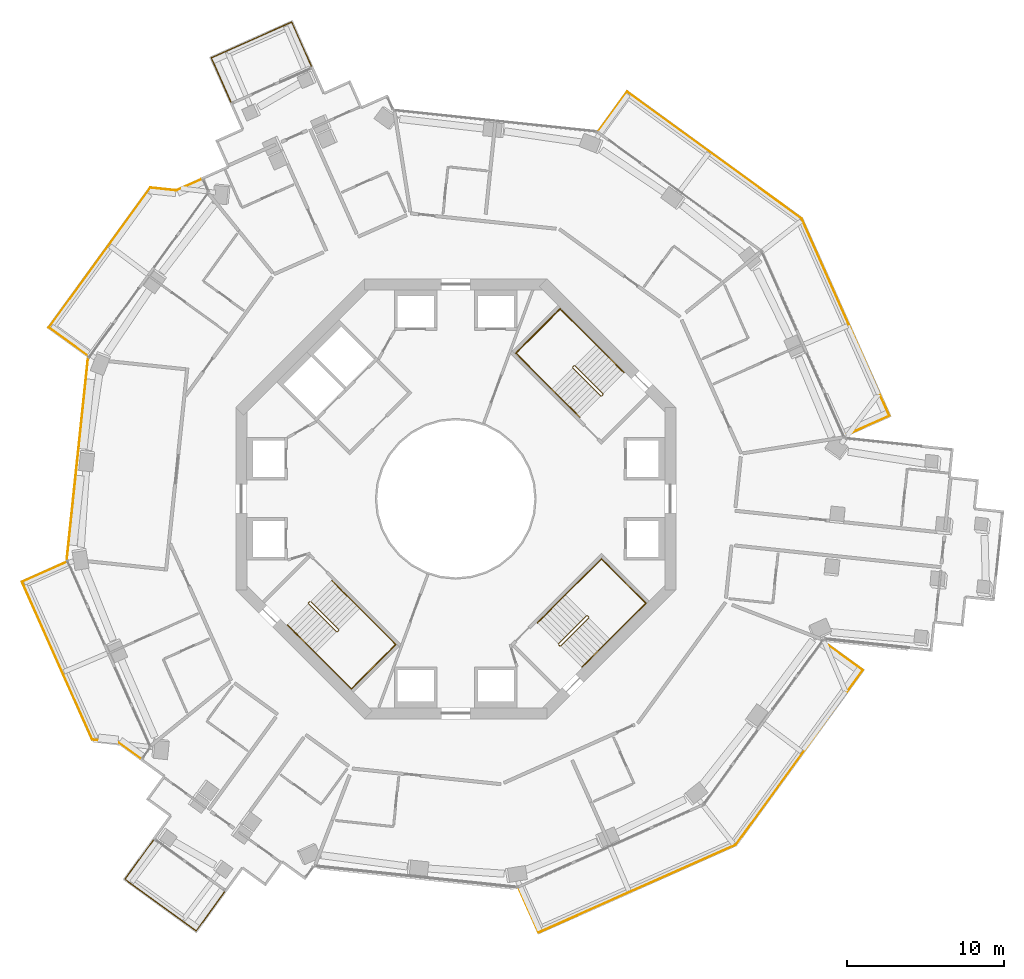
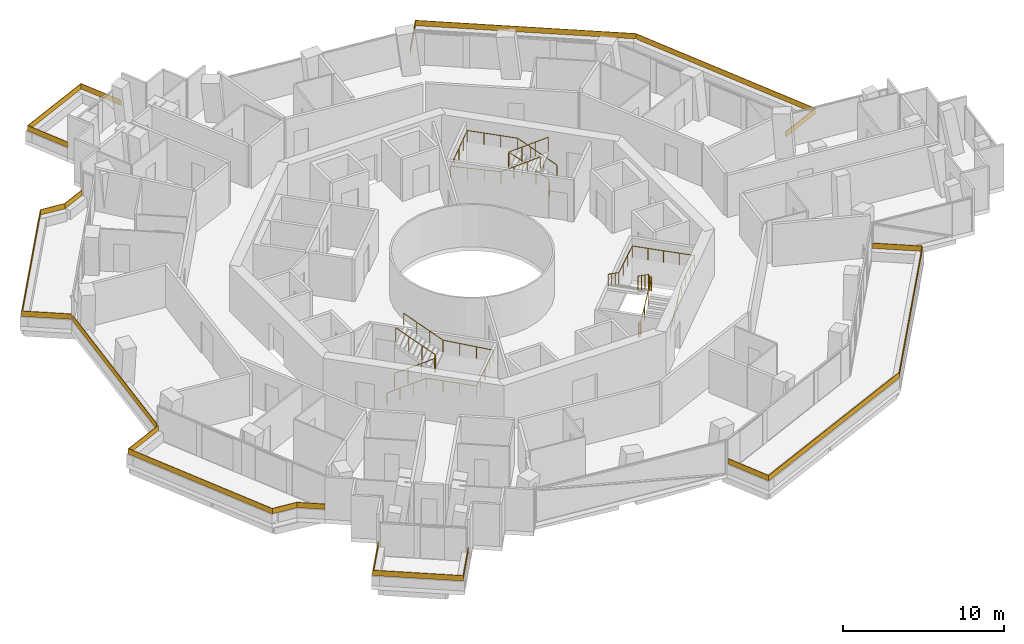
# One storey, part 23 of 23: 13 railings.
"""IFC4 building model written with IfcOpenShell, lengths in metres."""

from ifc_helpers import new_model, si_unit, direction, frame, origin, origin_2d, place, context, subcontext, project, spatial, polyline, rectangle, circle, outline, extrude, material, layer, layer_set, type_object, element, save


model = new_model("IFC4")

# Units and contexts
model_context = context("Model", 3, precision=1e-05, world=origin(), true_north=direction((0.0, 1.0)))
body_context = subcontext(model_context, "Body", "Model", "MODEL_VIEW")
ifc_project = project(units=[si_unit("LENGTHUNIT", "METRE"), si_unit("AREAUNIT", "SQUARE_METRE"), si_unit("VOLUMEUNIT", "CUBIC_METRE"), si_unit("PLANEANGLEUNIT", "RADIAN"), si_unit("MASSUNIT", "GRAM", prefix="KILO")], contexts=[model_context])

# Site, building, storey
site_placement = place(None, origin())
site = spatial("IfcSite", under=ifc_project, at=site_placement, CompositionType="ELEMENT")
building_placement = place(site_placement, origin())
building = spatial("IfcBuilding", under=site, at=building_placement, Name="Verdalira Terraces Hotel", CompositionType="ELEMENT")
storey_placement = place(building_placement, frame((0.0, 0.0, 133.0)))
storey = spatial("IfcBuildingStorey", under=building, at=storey_placement, Name="L31", CompositionType="ELEMENT", Elevation=133.0)

# Railings
ifc_material_1 = material(Name="Laminated glass", Category="glass")
ifc_layer = layer(ifc_material_1, 0.0400390625)
ifc_layer_set = layer_set([ifc_layer], Name="Balcony glass guard 400")
railing_type_1 = type_object("IfcRailingType", Name="Balcony glass guard 400", PredefinedType="GUARDRAIL", material=ifc_layer_set)
railing_1_placement = place(storey_placement, frame((0.0, 0.0, 0.699951)))
element("IfcRailing", 1, at=railing_1_placement, inside=storey, type_object=railing_type_1, Name="Balcony glass guard", PredefinedType="GUARDRAIL", context=body_context, shape_type="SweptSolid", body=[
    extrude(outline(polyline([(-10.450928, 30.307861), (-15.530029, 28.046387), (-14.277832, 25.233643), (-14.314453, 25.217285), (-15.583008, 28.06665), (-10.430664, 30.360596), (-9.161865, 27.51123), (-9.198486, 27.495117), (-10.450928, 30.307861)])), origin(), (0.0, 0.0, 1.0), 0.400146),
])
railing_2_placement = place(storey_placement, frame((0.0, 0.0, 0.699951)))
element("IfcRailing", 2, at=railing_2_placement, inside=storey, type_object=railing_type_1, Name="Balcony glass guard", PredefinedType="GUARDRAIL", context=body_context, shape_type="SweptSolid", body=[
    extrude(outline(polyline([(-17.774414, 19.60376), (-19.42334, 19.776855), (-25.867188, 10.907471), (-23.376221, 9.097656), (-23.399902, 9.06543), (-25.923096, 10.898682), (-19.442139, 19.819092), (-17.781006, 19.644531), (-16.179932, 20.357422), (-16.163574, 20.320801), (-17.774414, 19.60376)])), origin(), (0.0, 0.0, 1.0), 0.400146),
])
railing_3_placement = place(storey_placement, frame((0.0, 0.0, 0.699951)))
element("IfcRailing", 3, at=railing_3_placement, inside=storey, type_object=railing_type_1, Name="Balcony glass guard", PredefinedType="GUARDRAIL", context=body_context, shape_type="SweptSolid", body=[
    extrude(outline(polyline([(-27.569824, -5.291016), (-23.110596, -15.306396), (-21.461914, -15.479736), (-20.0354, -16.516113), (-20.058838, -16.548584), (-21.476562, -15.518311), (-23.137695, -15.34375), (-27.622559, -5.270752), (-24.773193, -4.002197), (-24.75708, -4.038818), (-27.569824, -5.291016)])), origin(), (0.0, 0.0, 1.0), 0.400146),
])
railing_4_placement = place(storey_placement, frame((0.0, 0.0, 0.699951)))
element("IfcRailing", 4, at=railing_4_placement, inside=storey, type_object=railing_type_1, Name="Balcony glass guard", PredefinedType="GUARDRAIL", context=body_context, shape_type="SweptSolid", body=[
    extrude(outline(polyline([(-21.021973, -24.20459), (-16.523926, -27.472656), (-14.714111, -24.981689), (-14.681641, -25.005127), (-16.514893, -27.528564), (-21.077881, -24.213379), (-19.244629, -21.690186), (-19.212158, -21.713623), (-21.021973, -24.20459)])), origin(), (0.0, 0.0, 1.0), 0.400146),
])
railing_5_placement = place(storey_placement, frame((0.0, 0.0, 0.699951)))
element("IfcRailing", 5, at=railing_5_placement, inside=storey, type_object=railing_type_1, Name="Balcony glass guard", PredefinedType="GUARDRAIL", context=body_context, shape_type="SweptSolid", body=[
    extrude(outline(polyline([(5.291016, -27.569824), (17.811523, -21.995361), (25.867188, -10.907471), (23.376221, -9.097656), (23.399902, -9.06543), (25.923096, -10.898682), (17.837646, -22.027588), (5.270752, -27.622559), (4.002197, -24.773193), (4.038818, -24.75708), (5.291016, -27.569824)])), origin(), (0.0, 0.0, 1.0), 0.400146),
])
railing_6_placement = place(storey_placement, frame((0.0, 0.0, 0.699951)))
element("IfcRailing", 6, at=railing_6_placement, inside=storey, type_object=railing_type_1, Name="Balcony glass guard", PredefinedType="GUARDRAIL", context=body_context, shape_type="SweptSolid", body=[
    extrude(outline(polyline([(27.569824, 5.291016), (21.995361, 17.811523), (10.907471, 25.867188), (9.097656, 23.376221), (9.06543, 23.399902), (10.898682, 25.923096), (22.027588, 17.837646), (27.622559, 5.270752), (24.773193, 4.002197), (24.75708, 4.038818), (27.569824, 5.291016)])), origin(), (0.0, 0.0, 1.0), 0.400146),
])
railing_7_placement = place(storey_placement, frame((-24.075684, 2.530518, 0.699951), z_axis=(0.0, 0.0, 1.0), x_axis=(-0.104528463, -0.994521895, 0.0)))
element("IfcRailing", 7, at=railing_7_placement, inside=storey, type_object=railing_type_1, Name="Loggia glass guard", PredefinedType="GUARDRAIL", context=body_context, shape_type="SweptSolid", body=[
    extrude(rectangle(XDim=12.840088, YDim=0.040039, at=origin_2d()), origin(), (0.0, 0.0, 1.0), 0.399902),
])
ifc_material_2 = material(Name="Stainless steel", Category="steel")
railing_type_2 = type_object("IfcRailingType", Name="Stair guard 1100", PredefinedType="GUARDRAIL", material=ifc_material_2)
railing_8_placement = place(storey_placement, frame((9.369141, 6.611328, 0.0)))
element("IfcRailing", 8, at=railing_8_placement, inside=storey, type_object=railing_type_2, Name="L31 ST1 stair guard 1", PredefinedType="GUARDRAIL", context=body_context, shape_type="SweptSolid", body=[
    extrude(circle(Radius=0.023926, at=origin_2d()), frame((0.0, 0.0, 1.076172), z_axis=(-0.70832698, -0.705884473, 0.0), x_axis=(0.705884473, -0.70832698, 0.0)), (0.0, 0.0, 1.0), 0.099854),
    extrude(circle(Radius=0.023926, at=origin_2d()), frame((-0.070801, -0.070557, 1.076172), z_axis=(0.300162975, 0.599290904, 0.742127078), x_axis=(-0.894118129, 0.447831187, 0.0)), (0.0, 0.0, 1.0), 0.23584),
    extrude(circle(Radius=0.023926, at=origin_2d()), frame((0.0, 0.070801, 1.250977), z_axis=(-0.599637504, 0.599637504, 0.52997144), x_axis=(-0.707106781, -0.707106781, 0.0)), (0.0, 0.0, 1.0), 2.97168),
    extrude(circle(Radius=0.023926, at=origin_2d()), frame((-1.781982, 1.852783, 2.826172), z_axis=(-1.0, 0.0, 0.0), x_axis=(0.0, -1.0, 0.0)), (0.0, 0.0, 1.0), 0.070557),
    extrude(circle(Radius=0.023926, at=origin_2d()), frame((-1.852539, 1.852783, 2.826172), z_axis=(-0.707106781, -0.707106781, 0.0), x_axis=(0.707106781, -0.707106781, 0.0)), (0.0, 0.0, 1.0), 0.100098),
    extrude(circle(Radius=0.023926, at=origin_2d()), frame((-1.92334, 1.781982, 2.826172), z_axis=(0.0, -0.373842709, 0.927492118), x_axis=(1.0, 0.0, 0.0)), (0.0, 0.0, 1.0), 0.188721),
    extrude(circle(Radius=0.023926, at=origin_2d()), frame((-1.92334, 1.711426, 3.000977), z_axis=(0.599637504, -0.599637504, 0.52997144), x_axis=(0.707106781, 0.707106781, 0.0)), (0.0, 0.0, 1.0), 2.97168),
    extrude(circle(Radius=0.020996, at=origin_2d()), origin(), (0.0, 0.0, 1.0), 1.052002),
    extrude(circle(Radius=0.020996, at=origin_2d()), frame((-0.070801, -0.070557, 0.0)), (0.0, 0.0, 1.0), 1.052002),
    extrude(circle(Radius=0.020996, at=origin_2d()), frame((0.0, 0.070801, 0.175049)), (0.0, 0.0, 1.0), 1.052002),
    extrude(circle(Radius=0.020996, at=origin_2d()), frame((-0.593994, 0.664795, 0.699951)), (0.0, 0.0, 1.0), 1.052002),
    extrude(circle(Radius=0.020996, at=origin_2d()), frame((-1.187988, 1.258789, 1.225098)), (0.0, 0.0, 1.0), 1.052002),
    extrude(circle(Radius=0.020996, at=origin_2d()), frame((-1.781982, 1.852783, 1.75)), (0.0, 0.0, 1.0), 1.052002),
    extrude(circle(Radius=0.020996, at=origin_2d()), frame((-1.852539, 1.852783, 1.75)), (0.0, 0.0, 1.0), 1.052002),
    extrude(circle(Radius=0.020996, at=origin_2d()), frame((-1.92334, 1.781982, 1.75)), (0.0, 0.0, 1.0), 1.052002),
    extrude(circle(Radius=0.020996, at=origin_2d()), frame((-1.92334, 1.711426, 1.925049)), (0.0, 0.0, 1.0), 1.052002),
    extrude(circle(Radius=0.020996, at=origin_2d()), frame((-1.329346, 1.117432, 2.449951)), (0.0, 0.0, 1.0), 1.052002),
    extrude(circle(Radius=0.020996, at=origin_2d()), frame((-0.735352, 0.523438, 2.975098)), (0.0, 0.0, 1.0), 1.052002),
    extrude(circle(Radius=0.020996, at=origin_2d()), frame((-0.141357, -0.070557, 3.5)), (0.0, 0.0, 1.0), 1.052002),
])
railing_9_placement = place(storey_placement, frame((-9.369141, -6.611328, 0.0)))
element("IfcRailing", 9, at=railing_9_placement, inside=storey, type_object=railing_type_2, Name="L31 ST2 stair guard 1", PredefinedType="GUARDRAIL", context=body_context, shape_type="SweptSolid", body=[
    extrude(circle(Radius=0.023926, at=origin_2d()), frame((0.0, 0.0, 1.076172), z_axis=(0.70832698, 0.705884473, 0.0), x_axis=(-0.705884473, 0.70832698, 0.0)), (0.0, 0.0, 1.0), 0.099854),
    extrude(circle(Radius=0.023926, at=origin_2d()), frame((0.070801, 0.070557, 1.076172), z_axis=(-0.300162975, -0.599290904, 0.742127078), x_axis=(0.894118129, -0.447831187, 0.0)), (0.0, 0.0, 1.0), 0.23584),
    extrude(circle(Radius=0.023926, at=origin_2d()), frame((0.0, -0.070801, 1.250977), z_axis=(0.599637504, -0.599637504, 0.52997144), x_axis=(0.707106781, 0.707106781, 0.0)), (0.0, 0.0, 1.0), 2.97168),
    extrude(circle(Radius=0.023926, at=origin_2d()), frame((1.781982, -1.852783, 2.826172), z_axis=(1.0, 0.0, 0.0), x_axis=(0.0, 1.0, 0.0)), (0.0, 0.0, 1.0), 0.070557),
    extrude(circle(Radius=0.023926, at=origin_2d()), frame((1.852539, -1.852783, 2.826172), z_axis=(0.707106781, 0.707106781, 0.0), x_axis=(-0.707106781, 0.707106781, 0.0)), (0.0, 0.0, 1.0), 0.100098),
    extrude(circle(Radius=0.023926, at=origin_2d()), frame((1.92334, -1.781982, 2.826172), z_axis=(0.0, 0.373842709, 0.927492118), x_axis=(-1.0, 0.0, 0.0)), (0.0, 0.0, 1.0), 0.188721),
    extrude(circle(Radius=0.023926, at=origin_2d()), frame((1.92334, -1.711426, 3.000977), z_axis=(-0.599637504, 0.599637504, 0.52997144), x_axis=(-0.707106781, -0.707106781, 0.0)), (0.0, 0.0, 1.0), 2.97168),
    extrude(circle(Radius=0.020996, at=origin_2d()), origin(), (0.0, 0.0, 1.0), 1.052002),
    extrude(circle(Radius=0.020996, at=origin_2d()), frame((0.070801, 0.070557, 0.0)), (0.0, 0.0, 1.0), 1.052002),
    extrude(circle(Radius=0.020996, at=origin_2d()), frame((0.0, -0.070801, 0.175049)), (0.0, 0.0, 1.0), 1.052002),
    extrude(circle(Radius=0.020996, at=origin_2d()), frame((0.593994, -0.664795, 0.699951)), (0.0, 0.0, 1.0), 1.052002),
    extrude(circle(Radius=0.020996, at=origin_2d()), frame((1.187988, -1.258789, 1.225098)), (0.0, 0.0, 1.0), 1.052002),
    extrude(circle(Radius=0.020996, at=origin_2d()), frame((1.781982, -1.852783, 1.75)), (0.0, 0.0, 1.0), 1.052002),
    extrude(circle(Radius=0.020996, at=origin_2d()), frame((1.852539, -1.852783, 1.75)), (0.0, 0.0, 1.0), 1.052002),
    extrude(circle(Radius=0.020996, at=origin_2d()), frame((1.92334, -1.781982, 1.75)), (0.0, 0.0, 1.0), 1.052002),
    extrude(circle(Radius=0.020996, at=origin_2d()), frame((1.92334, -1.711426, 1.925049)), (0.0, 0.0, 1.0), 1.052002),
    extrude(circle(Radius=0.020996, at=origin_2d()), frame((1.329346, -1.117432, 2.449951)), (0.0, 0.0, 1.0), 1.052002),
    extrude(circle(Radius=0.020996, at=origin_2d()), frame((0.735352, -0.523438, 2.975098)), (0.0, 0.0, 1.0), 1.052002),
    extrude(circle(Radius=0.020996, at=origin_2d()), frame((0.141357, 0.070557, 3.5)), (0.0, 0.0, 1.0), 1.052002),
])
railing_10_placement = place(storey_placement, frame((6.611328, -9.369141, 0.0)))
element("IfcRailing", 10, at=railing_10_placement, inside=storey, type_object=railing_type_2, Name="L31 ST3 stair guard 1", PredefinedType="GUARDRAIL", context=body_context, shape_type="SweptSolid", body=[
    extrude(circle(Radius=0.023926, at=origin_2d()), frame((0.0, 0.0, 1.076172), z_axis=(-0.705884473, 0.70832698, 0.0), x_axis=(-0.70832698, -0.705884473, 0.0)), (0.0, 0.0, 1.0), 0.099854),
    extrude(circle(Radius=0.023926, at=origin_2d()), frame((-0.070557, 0.070801, 1.076172), z_axis=(0.599290904, -0.300162975, 0.742127078), x_axis=(0.447831187, 0.894118129, 0.0)), (0.0, 0.0, 1.0), 0.23584),
    extrude(circle(Radius=0.023926, at=origin_2d()), frame((0.070801, 0.0, 1.250977), z_axis=(0.599637504, 0.599637504, 0.52997144), x_axis=(-0.707106781, 0.707106781, 0.0)), (0.0, 0.0, 1.0), 2.97168),
    extrude(circle(Radius=0.023926, at=origin_2d()), frame((1.852783, 1.781982, 2.826172), z_axis=(0.0, 1.0, 0.0), x_axis=(-1.0, 0.0, 0.0)), (0.0, 0.0, 1.0), 0.070557),
    extrude(circle(Radius=0.023926, at=origin_2d()), frame((1.852783, 1.852539, 2.826172), z_axis=(-0.707106781, 0.707106781, 0.0), x_axis=(-0.707106781, -0.707106781, 0.0)), (0.0, 0.0, 1.0), 0.100098),
    extrude(circle(Radius=0.023926, at=origin_2d()), frame((1.781982, 1.92334, 2.826172), z_axis=(-0.373842709, 0.0, 0.927492118), x_axis=(0.0, -1.0, 0.0)), (0.0, 0.0, 1.0), 0.188721),
    extrude(circle(Radius=0.023926, at=origin_2d()), frame((1.711426, 1.92334, 3.000977), z_axis=(-0.599637504, -0.599637504, 0.52997144), x_axis=(0.707106781, -0.707106781, 0.0)), (0.0, 0.0, 1.0), 2.97168),
    extrude(circle(Radius=0.020996, at=origin_2d()), origin(), (0.0, 0.0, 1.0), 1.052002),
    extrude(circle(Radius=0.020996, at=origin_2d()), frame((-0.070557, 0.070801, 0.0)), (0.0, 0.0, 1.0), 1.052002),
    extrude(circle(Radius=0.020996, at=origin_2d()), frame((0.070801, 0.0, 0.175049)), (0.0, 0.0, 1.0), 1.052002),
    extrude(circle(Radius=0.020996, at=origin_2d()), frame((0.664795, 0.593994, 0.699951)), (0.0, 0.0, 1.0), 1.052002),
    extrude(circle(Radius=0.020996, at=origin_2d()), frame((1.258789, 1.187988, 1.225098)), (0.0, 0.0, 1.0), 1.052002),
    extrude(circle(Radius=0.020996, at=origin_2d()), frame((1.852783, 1.781982, 1.75)), (0.0, 0.0, 1.0), 1.052002),
    extrude(circle(Radius=0.020996, at=origin_2d()), frame((1.852783, 1.852539, 1.75)), (0.0, 0.0, 1.0), 1.052002),
    extrude(circle(Radius=0.020996, at=origin_2d()), frame((1.781982, 1.92334, 1.75)), (0.0, 0.0, 1.0), 1.052002),
    extrude(circle(Radius=0.020996, at=origin_2d()), frame((1.711426, 1.92334, 1.925049)), (0.0, 0.0, 1.0), 1.052002),
    extrude(circle(Radius=0.020996, at=origin_2d()), frame((1.117432, 1.329346, 2.449951)), (0.0, 0.0, 1.0), 1.052002),
    extrude(circle(Radius=0.020996, at=origin_2d()), frame((0.523438, 0.735352, 2.975098)), (0.0, 0.0, 1.0), 1.052002),
    extrude(circle(Radius=0.020996, at=origin_2d()), frame((-0.070557, 0.141357, 3.5)), (0.0, 0.0, 1.0), 1.052002),
])
ifc_material_3 = material(Name="Stainless steel", Category="steel")
railing_type_3 = type_object("IfcRailingType", Name="Stair handrail 900", PredefinedType="HANDRAIL", material=ifc_material_3)
railing_11_placement = place(storey_placement, frame((10.712646, 8.025635, 0.175049)))
element("IfcRailing", 11, at=railing_11_placement, inside=storey, type_object=railing_type_3, Name="L31 ST1 stair handrail 1", PredefinedType="HANDRAIL", context=body_context, shape_type="SweptSolid", body=[
    extrude(circle(Radius=0.023926, at=origin_2d()), frame((0.0, 0.0, 0.875977), z_axis=(-0.599637504, 0.599637504, 0.52997144), x_axis=(-0.707106781, -0.707106781, 0.0)), (0.0, 0.0, 1.0), 2.97168),
    extrude(circle(Radius=0.023926, at=origin_2d()), frame((-1.781982, 1.781982, 2.450684), z_axis=(-0.707106781, 0.707106781, 0.0), x_axis=(-0.707106781, -0.707106781, 0.0)), (0.0, 0.0, 1.0), 3.22998),
    extrude(circle(Radius=0.023926, at=origin_2d()), frame((-4.065918, 4.065918, 2.450684), z_axis=(-0.707106781, -0.707106781, 0.0), x_axis=(0.707106781, -0.707106781, 0.0)), (0.0, 0.0, 1.0), 4.0),
    extrude(circle(Radius=0.023926, at=origin_2d()), frame((-6.894287, 1.237549, 2.450684), z_axis=(0.706070637, -0.706070637, 0.054115729), x_axis=(0.707106781, 0.707106781, 0.0)), (0.0, 0.0, 1.0), 3.234619),
    extrude(circle(Radius=0.023926, at=origin_2d()), frame((-4.610352, -1.046387, 2.625977), z_axis=(0.599637504, -0.599637504, 0.52997144), x_axis=(0.707106781, 0.707106781, 0.0)), (0.0, 0.0, 1.0), 2.97168),
    extrude(circle(Radius=0.020996, at=origin_2d()), origin(), (0.0, 0.0, 1.0), 0.851807),
    extrude(circle(Radius=0.020996, at=origin_2d()), frame((-0.593994, 0.593994, 0.524902)), (0.0, 0.0, 1.0), 0.851807),
    extrude(circle(Radius=0.020996, at=origin_2d()), frame((-1.187988, 1.187988, 1.050049)), (0.0, 0.0, 1.0), 0.851807),
    extrude(circle(Radius=0.020996, at=origin_2d()), frame((-1.781982, 1.781982, 1.574951)), (0.0, 0.0, 1.0), 0.851807),
    extrude(circle(Radius=0.020996, at=origin_2d()), frame((-2.543213, 2.543213, 1.574951)), (0.0, 0.0, 1.0), 0.851807),
    extrude(circle(Radius=0.020996, at=origin_2d()), frame((-3.304688, 3.304688, 1.574951)), (0.0, 0.0, 1.0), 0.851807),
    extrude(circle(Radius=0.020996, at=origin_2d()), frame((-4.065918, 4.065918, 1.574951)), (0.0, 0.0, 1.0), 0.851807),
    extrude(circle(Radius=0.020996, at=origin_2d()), frame((-4.772949, 3.358887, 1.574951)), (0.0, 0.0, 1.0), 0.851807),
    extrude(circle(Radius=0.020996, at=origin_2d()), frame((-5.47998, 2.651855, 1.574951)), (0.0, 0.0, 1.0), 0.851807),
    extrude(circle(Radius=0.020996, at=origin_2d()), frame((-6.187256, 1.94458, 1.574951)), (0.0, 0.0, 1.0), 0.851807),
    extrude(circle(Radius=0.020996, at=origin_2d()), frame((-6.894287, 1.237549, 1.574951)), (0.0, 0.0, 1.0), 0.851807),
    extrude(circle(Radius=0.020996, at=origin_2d()), frame((-6.133057, 0.476318, 1.633301)), (0.0, 0.0, 1.0), 0.851807),
    extrude(circle(Radius=0.020996, at=origin_2d()), frame((-5.371582, -0.285156, 1.69165)), (0.0, 0.0, 1.0), 0.851807),
    extrude(circle(Radius=0.020996, at=origin_2d()), frame((-4.610352, -1.046387, 1.75)), (0.0, 0.0, 1.0), 0.851807),
    extrude(circle(Radius=0.020996, at=origin_2d()), frame((-4.016357, -1.640381, 2.274902)), (0.0, 0.0, 1.0), 0.851807),
    extrude(circle(Radius=0.020996, at=origin_2d()), frame((-3.422363, -2.234375, 2.800049)), (0.0, 0.0, 1.0), 0.851807),
    extrude(circle(Radius=0.020996, at=origin_2d()), frame((-2.828369, -2.828369, 3.324951)), (0.0, 0.0, 1.0), 0.851807),
])
railing_12_placement = place(storey_placement, frame((-10.712646, -8.025635, 0.175049)))
element("IfcRailing", 12, at=railing_12_placement, inside=storey, type_object=railing_type_3, Name="L31 ST2 stair handrail 1", PredefinedType="HANDRAIL", context=body_context, shape_type="SweptSolid", body=[
    extrude(circle(Radius=0.023926, at=origin_2d()), frame((0.0, 0.0, 0.875977), z_axis=(0.599637504, -0.599637504, 0.52997144), x_axis=(0.707106781, 0.707106781, 0.0)), (0.0, 0.0, 1.0), 2.97168),
    extrude(circle(Radius=0.023926, at=origin_2d()), frame((1.781982, -1.781982, 2.450684), z_axis=(0.707106781, -0.707106781, 0.0), x_axis=(0.707106781, 0.707106781, 0.0)), (0.0, 0.0, 1.0), 3.22998),
    extrude(circle(Radius=0.023926, at=origin_2d()), frame((4.065918, -4.065918, 2.450684), z_axis=(0.707106781, 0.707106781, 0.0), x_axis=(-0.707106781, 0.707106781, 0.0)), (0.0, 0.0, 1.0), 4.0),
    extrude(circle(Radius=0.023926, at=origin_2d()), frame((6.894287, -1.237549, 2.450684), z_axis=(-0.706070637, 0.706070637, 0.054115729), x_axis=(-0.707106781, -0.707106781, 0.0)), (0.0, 0.0, 1.0), 3.234619),
    extrude(circle(Radius=0.023926, at=origin_2d()), frame((4.610352, 1.046387, 2.625977), z_axis=(-0.599637504, 0.599637504, 0.52997144), x_axis=(-0.707106781, -0.707106781, 0.0)), (0.0, 0.0, 1.0), 2.97168),
    extrude(circle(Radius=0.020996, at=origin_2d()), origin(), (0.0, 0.0, 1.0), 0.851807),
    extrude(circle(Radius=0.020996, at=origin_2d()), frame((0.593994, -0.593994, 0.524902)), (0.0, 0.0, 1.0), 0.851807),
    extrude(circle(Radius=0.020996, at=origin_2d()), frame((1.187988, -1.187988, 1.050049)), (0.0, 0.0, 1.0), 0.851807),
    extrude(circle(Radius=0.020996, at=origin_2d()), frame((1.781982, -1.781982, 1.574951)), (0.0, 0.0, 1.0), 0.851807),
    extrude(circle(Radius=0.020996, at=origin_2d()), frame((2.543213, -2.543213, 1.574951)), (0.0, 0.0, 1.0), 0.851807),
    extrude(circle(Radius=0.020996, at=origin_2d()), frame((3.304688, -3.304688, 1.574951)), (0.0, 0.0, 1.0), 0.851807),
    extrude(circle(Radius=0.020996, at=origin_2d()), frame((4.065918, -4.065918, 1.574951)), (0.0, 0.0, 1.0), 0.851807),
    extrude(circle(Radius=0.020996, at=origin_2d()), frame((4.772949, -3.358887, 1.574951)), (0.0, 0.0, 1.0), 0.851807),
    extrude(circle(Radius=0.020996, at=origin_2d()), frame((5.47998, -2.651855, 1.574951)), (0.0, 0.0, 1.0), 0.851807),
    extrude(circle(Radius=0.020996, at=origin_2d()), frame((6.187256, -1.94458, 1.574951)), (0.0, 0.0, 1.0), 0.851807),
    extrude(circle(Radius=0.020996, at=origin_2d()), frame((6.894287, -1.237549, 1.574951)), (0.0, 0.0, 1.0), 0.851807),
    extrude(circle(Radius=0.020996, at=origin_2d()), frame((6.133057, -0.476318, 1.633301)), (0.0, 0.0, 1.0), 0.851807),
    extrude(circle(Radius=0.020996, at=origin_2d()), frame((5.371582, 0.285156, 1.69165)), (0.0, 0.0, 1.0), 0.851807),
    extrude(circle(Radius=0.020996, at=origin_2d()), frame((4.610352, 1.046387, 1.75)), (0.0, 0.0, 1.0), 0.851807),
    extrude(circle(Radius=0.020996, at=origin_2d()), frame((4.016357, 1.640381, 2.274902)), (0.0, 0.0, 1.0), 0.851807),
    extrude(circle(Radius=0.020996, at=origin_2d()), frame((3.422363, 2.234375, 2.800049)), (0.0, 0.0, 1.0), 0.851807),
    extrude(circle(Radius=0.020996, at=origin_2d()), frame((2.828369, 2.828369, 3.324951)), (0.0, 0.0, 1.0), 0.851807),
])
railing_13_placement = place(storey_placement, frame((8.025635, -10.712646, 0.175049)))
element("IfcRailing", 13, at=railing_13_placement, inside=storey, type_object=railing_type_3, Name="L31 ST3 stair handrail 1", PredefinedType="HANDRAIL", context=body_context, shape_type="SweptSolid", body=[
    extrude(circle(Radius=0.023926, at=origin_2d()), frame((0.0, 0.0, 0.875977), z_axis=(0.599637504, 0.599637504, 0.52997144), x_axis=(-0.707106781, 0.707106781, 0.0)), (0.0, 0.0, 1.0), 2.97168),
    extrude(circle(Radius=0.023926, at=origin_2d()), frame((1.781982, 1.781982, 2.450684), z_axis=(0.707106781, 0.707106781, 0.0), x_axis=(-0.707106781, 0.707106781, 0.0)), (0.0, 0.0, 1.0), 3.22998),
    extrude(circle(Radius=0.023926, at=origin_2d()), frame((4.065918, 4.065918, 2.450684), z_axis=(-0.707106781, 0.707106781, 0.0), x_axis=(-0.707106781, -0.707106781, 0.0)), (0.0, 0.0, 1.0), 4.0),
    extrude(circle(Radius=0.023926, at=origin_2d()), frame((1.237549, 6.894287, 2.450684), z_axis=(-0.706070637, -0.706070637, 0.054115729), x_axis=(0.707106781, -0.707106781, 0.0)), (0.0, 0.0, 1.0), 3.234619),
    extrude(circle(Radius=0.023926, at=origin_2d()), frame((-1.046387, 4.610352, 2.625977), z_axis=(-0.599637504, -0.599637504, 0.52997144), x_axis=(0.707106781, -0.707106781, 0.0)), (0.0, 0.0, 1.0), 2.97168),
    extrude(circle(Radius=0.020996, at=origin_2d()), origin(), (0.0, 0.0, 1.0), 0.851807),
    extrude(circle(Radius=0.020996, at=origin_2d()), frame((0.593994, 0.593994, 0.524902)), (0.0, 0.0, 1.0), 0.851807),
    extrude(circle(Radius=0.020996, at=origin_2d()), frame((1.187988, 1.187988, 1.050049)), (0.0, 0.0, 1.0), 0.851807),
    extrude(circle(Radius=0.020996, at=origin_2d()), frame((1.781982, 1.781982, 1.574951)), (0.0, 0.0, 1.0), 0.851807),
    extrude(circle(Radius=0.020996, at=origin_2d()), frame((2.543213, 2.543213, 1.574951)), (0.0, 0.0, 1.0), 0.851807),
    extrude(circle(Radius=0.020996, at=origin_2d()), frame((3.304688, 3.304688, 1.574951)), (0.0, 0.0, 1.0), 0.851807),
    extrude(circle(Radius=0.020996, at=origin_2d()), frame((4.065918, 4.065918, 1.574951)), (0.0, 0.0, 1.0), 0.851807),
    extrude(circle(Radius=0.020996, at=origin_2d()), frame((3.358887, 4.772949, 1.574951)), (0.0, 0.0, 1.0), 0.851807),
    extrude(circle(Radius=0.020996, at=origin_2d()), frame((2.651855, 5.47998, 1.574951)), (0.0, 0.0, 1.0), 0.851807),
    extrude(circle(Radius=0.020996, at=origin_2d()), frame((1.94458, 6.187256, 1.574951)), (0.0, 0.0, 1.0), 0.851807),
    extrude(circle(Radius=0.020996, at=origin_2d()), frame((1.237549, 6.894287, 1.574951)), (0.0, 0.0, 1.0), 0.851807),
    extrude(circle(Radius=0.020996, at=origin_2d()), frame((0.476318, 6.133057, 1.633301)), (0.0, 0.0, 1.0), 0.851807),
    extrude(circle(Radius=0.020996, at=origin_2d()), frame((-0.285156, 5.371582, 1.69165)), (0.0, 0.0, 1.0), 0.851807),
    extrude(circle(Radius=0.020996, at=origin_2d()), frame((-1.046387, 4.610352, 1.75)), (0.0, 0.0, 1.0), 0.851807),
    extrude(circle(Radius=0.020996, at=origin_2d()), frame((-1.640381, 4.016357, 2.274902)), (0.0, 0.0, 1.0), 0.851807),
    extrude(circle(Radius=0.020996, at=origin_2d()), frame((-2.234375, 3.422363, 2.800049)), (0.0, 0.0, 1.0), 0.851807),
    extrude(circle(Radius=0.020996, at=origin_2d()), frame((-2.828369, 2.828369, 3.324951)), (0.0, 0.0, 1.0), 0.851807),
])

save(model, "model.ifc")
